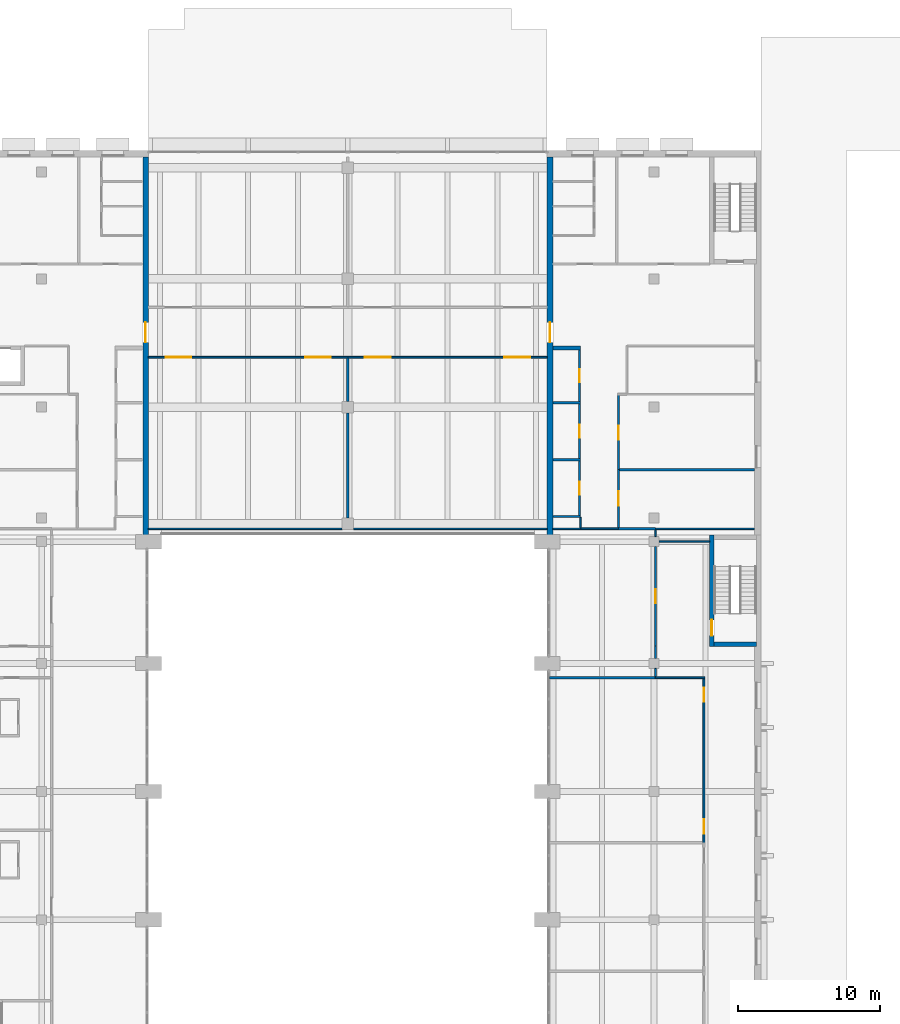
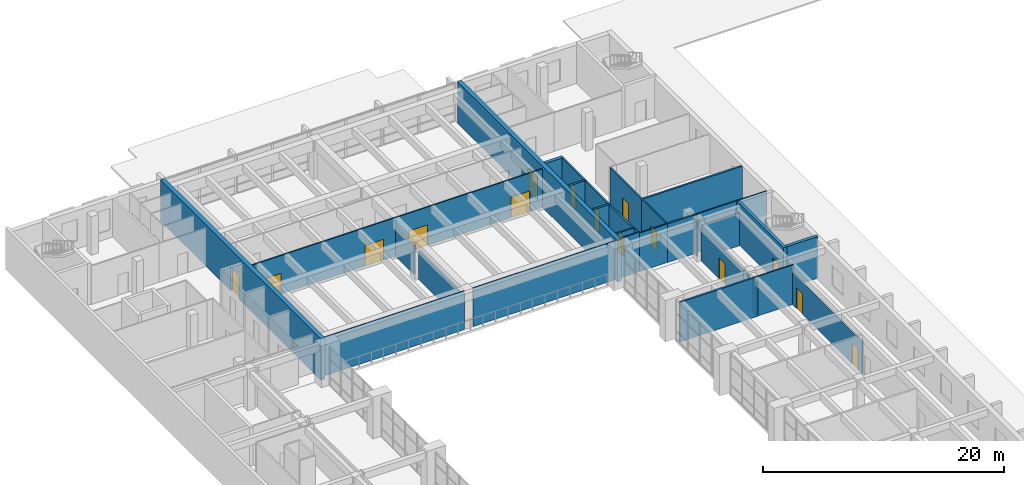
# One storey, part 32 of 45: 33 walls, 15 doors, 15 openings.
"""IFC4 building model written with IfcOpenShell, lengths in metres."""

from ifc_helpers import new_model, si_unit, direction, frame, frame_2d, origin, place, context, subcontext, project, spatial, rectangle, extrude, material, layer, layer_set, type_object, element, fill, save


model = new_model("IFC4")

# Units and contexts
model_context = context("Model", 3, precision=1e-05, world=origin(), true_north=direction((0.0, 1.0)))
body_context = subcontext(model_context, "Body", "Model", "MODEL_VIEW")
ifc_project = project(units=[si_unit("LENGTHUNIT", "METRE"), si_unit("AREAUNIT", "SQUARE_METRE"), si_unit("VOLUMEUNIT", "CUBIC_METRE"), si_unit("PLANEANGLEUNIT", "RADIAN"), si_unit("MASSUNIT", "GRAM", prefix="KILO")], contexts=[model_context])

# Site, building, storey
site_placement = place(None, origin())
site = spatial("IfcSite", under=ifc_project, at=site_placement, CompositionType="ELEMENT")
building_placement = place(site_placement, origin())
building = spatial("IfcBuilding", under=site, at=building_placement, Name="Elmora Arch Market Hall", CompositionType="ELEMENT")
storey_placement = place(building_placement, frame((0.0, 0.0, 6.0)))
storey = spatial("IfcBuildingStorey", under=building, at=storey_placement, Name="L01", CompositionType="ELEMENT", Elevation=6.0)

# Wall
ifc_material_1 = material(Name="Blockwork", Category="masonry")
ifc_layer_1 = layer(ifc_material_1, 0.14990234375)
ifc_layer_set_1 = layer_set([ifc_layer_1], Name="Blockwork")
wall_type_1 = type_object("IfcWallType", Name="Blockwork partition 150 EI 120", PredefinedType="PARTITIONING", material=ifc_layer_set_1)
wall_1_placement = place(storey_placement, frame((43.39990234375, 100.324951171875, 0.0), z_axis=(0.0, 0.0, 1.0), x_axis=(1.0, 0.0, 0.0)))
element("IfcWall", 1, at=wall_1_placement, inside=storey, type_object=wall_type_1, Name="Riser wall L01 22", PredefinedType="PARTITIONING", context=body_context, shape_type="SweptSolid", body=[
    extrude(rectangle(XDim=1.9501953125, YDim=0.14990234375, at=frame_2d((0.97509765625, 0.0))), origin(), (0.0, 0.0, 1.0), 3.89990234375),
])

# Wall, opening, door
wall_2_placement = place(storey_placement, frame((45.27490234375, 100.39990234375, 0.0), z_axis=(0.0, 0.0, 1.0), x_axis=(0.0, 1.0, 0.0)))
wall_2 = element("IfcWall", 2, at=wall_2_placement, inside=storey, type_object=wall_type_1, Name="Riser wall L01 26", PredefinedType="PARTITIONING", context=body_context, shape_type="SweptSolid", body=[
    extrude(rectangle(XDim=3.800048828125, YDim=0.14990234375, at=frame_2d((1.89990234375, 0.0))), origin(), (0.0, 0.0, 1.0), 3.89990234375),
])
opening_1_placement = place(wall_2_placement, frame((1.449951171875, 0.0, 0.0)))
opening_1 = element("IfcOpeningElement", 3, at=opening_1_placement, cuts=wall_2, Name="Opening D-L01-043", PredefinedType="OPENING", context=body_context, shape_type="SweptSolid", body=[
    extrude(rectangle(XDim=0.89990234375, YDim=2.10009765625, at=frame_2d((0.449951171875, 1.050048828125))), frame((0.0, 0.0849609375, 0.0), z_axis=(0.0, -1.0, 0.0), x_axis=(1.0, 0.0, 0.0)), (0.0, 0.0, 1.0), 0.169921875),
])
ifc_material_2 = material(Name="Steel ASTM A653 galvanised", Category="steel")
door_type_1 = type_object("IfcDoorType", Name="Door 900 x 2100 FD90", OperationType="SINGLE_SWING_LEFT", PredefinedType="DOOR", material=ifc_material_2)
door_1_placement = place(opening_1_placement, origin())
door_1 = element("IfcDoor", 4, at=door_1_placement, inside=storey, type_object=door_type_1, Name="Riser access door D-L01-043", OperationType="SINGLE_SWING_LEFT", OverallHeight=2.10009765625, OverallWidth=0.89990234375, PredefinedType="DOOR", context=body_context, shape_type="SweptSolid", body=[
    extrude(rectangle(XDim=0.89990234375, YDim=2.10009765625, at=frame_2d((0.449951171875, 1.050048828125))), frame((0.0, 0.02490234375, 0.0), z_axis=(0.0, -1.0, 0.0), x_axis=(1.0, 0.0, 0.0)), (0.0, 0.0, 1.0), 0.050048828125),
])
fill(opening_1, door_1)

wall_3_placement = place(storey_placement, frame((45.27490234375, 104.39990234375, 0.0), z_axis=(0.0, 0.0, 1.0), x_axis=(0.0, 1.0, 0.0)))
wall_3 = element("IfcWall", 5, at=wall_3_placement, inside=storey, type_object=wall_type_1, Name="Riser wall L01 27", PredefinedType="PARTITIONING", context=body_context, shape_type="SweptSolid", body=[
    extrude(rectangle(XDim=3.800048828125, YDim=0.14990234375, at=frame_2d((1.89990234375, 0.0))), origin(), (0.0, 0.0, 1.0), 3.89990234375),
])
opening_2_placement = place(wall_3_placement, frame((1.449951171875, 0.0, 0.0)))
opening_2 = element("IfcOpeningElement", 6, at=opening_2_placement, cuts=wall_3, Name="Opening D-L01-047", PredefinedType="OPENING", context=body_context, shape_type="SweptSolid", body=[
    extrude(rectangle(XDim=0.89990234375, YDim=2.10009765625, at=frame_2d((0.449951171875, 1.050048828125))), frame((0.0, 0.0849609375, 0.0), z_axis=(0.0, -1.0, 0.0), x_axis=(1.0, 0.0, 0.0)), (0.0, 0.0, 1.0), 0.169921875),
])
door_2_placement = place(opening_2_placement, origin())
door_2 = element("IfcDoor", 7, at=door_2_placement, inside=storey, type_object=door_type_1, Name="Riser access door D-L01-047", OperationType="SINGLE_SWING_LEFT", OverallHeight=2.10009765625, OverallWidth=0.89990234375, PredefinedType="DOOR", context=body_context, shape_type="SweptSolid", body=[
    extrude(rectangle(XDim=0.89990234375, YDim=2.10009765625, at=frame_2d((0.449951171875, 1.050048828125))), frame((0.0, 0.02490234375, 0.0), z_axis=(0.0, -1.0, 0.0), x_axis=(1.0, 0.0, 0.0)), (0.0, 0.0, 1.0), 0.050048828125),
])
fill(opening_2, door_2)

wall_4_placement = place(storey_placement, frame((45.27490234375, 108.39990234375, 0.0), z_axis=(0.0, 0.0, 1.0), x_axis=(0.0, 1.0, 0.0)))
wall_4 = element("IfcWall", 8, at=wall_4_placement, inside=storey, type_object=wall_type_1, Name="Riser wall L01 28", PredefinedType="PARTITIONING", context=body_context, shape_type="SweptSolid", body=[
    extrude(rectangle(XDim=3.60009765625, YDim=0.14990234375, at=frame_2d((1.800048828125, 0.0))), origin(), (0.0, 0.0, 1.0), 3.89990234375),
])
opening_3_placement = place(wall_4_placement, frame((1.35009765625, 0.0, 0.0)))
opening_3 = element("IfcOpeningElement", 9, at=opening_3_placement, cuts=wall_4, Name="Opening D-L01-049", PredefinedType="OPENING", context=body_context, shape_type="SweptSolid", body=[
    extrude(rectangle(XDim=0.89990234375, YDim=2.10009765625, at=frame_2d((0.449951171875, 1.050048828125))), frame((0.0, 0.0849609375, 0.0), z_axis=(0.0, -1.0, 0.0), x_axis=(1.0, 0.0, 0.0)), (0.0, 0.0, 1.0), 0.169921875),
])
door_3_placement = place(opening_3_placement, origin())
door_3 = element("IfcDoor", 10, at=door_3_placement, inside=storey, type_object=door_type_1, Name="Riser access door D-L01-049", OperationType="SINGLE_SWING_LEFT", OverallHeight=2.10009765625, OverallWidth=0.89990234375, PredefinedType="DOOR", context=body_context, shape_type="SweptSolid", body=[
    extrude(rectangle(XDim=0.89990234375, YDim=2.10009765625, at=frame_2d((0.449951171875, 1.050048828125))), frame((0.0, 0.02490234375, 0.0), z_axis=(0.0, -1.0, 0.0), x_axis=(1.0, 0.0, 0.0)), (0.0, 0.0, 1.0), 0.050048828125),
])
fill(opening_3, door_3)

# Walls
ifc_material_3 = material(Name="Blockwork", Category="masonry")
ifc_layer_2 = layer(ifc_material_3, 0.199951171875)
ifc_layer_set_2 = layer_set([ifc_layer_2], Name="Blockwork")
wall_type_2 = type_object("IfcWallType", Name="Blockwork partition 200 EI 120", PredefinedType="PARTITIONING", material=ifc_layer_set_2)
for number, where, z_axis, x_axis, name in (
    (11, (43.39990234375, 104.300048828125, 0.0), (0.0, 0.0, 1.0), (1.0, 0.0, 0.0), "Riser wall L01 23"),
    (12, (43.39990234375, 108.300048828125, 0.0), (0.0, 0.0, 1.0), (1.0, 0.0, 0.0), "Riser wall L01 24"),
):
    element("IfcWall", number, at=place(storey_placement, frame(where, z_axis=z_axis, x_axis=x_axis)), inside=storey, type_object=wall_type_2, Name=name, PredefinedType="PARTITIONING", context=body_context, shape_type="SweptSolid", body=[
        extrude(rectangle(XDim=1.9501953125, YDim=0.199951171875, at=frame_2d((0.97509765625, 0.0))), origin(), (0.0, 0.0, 1.0), 3.89990234375),
    ])
ifc_material_4 = material(Name="Blockwork", Category="masonry")
ifc_layer_3 = layer(ifc_material_4, 0.300048828125)
ifc_layer_set_3 = layer_set([ifc_layer_3], Name="Blockwork")
wall_type_3 = type_object("IfcWallType", Name="Blockwork partition 300 EI 120", PredefinedType="PARTITIONING", material=ifc_layer_set_3)
wall_5_placement = place(storey_placement, frame((43.39990234375, 112.14990234375, 0.0), z_axis=(0.0, 0.0, 1.0), x_axis=(1.0, 0.0, 0.0)))
element("IfcWall", 13, at=wall_5_placement, inside=storey, type_object=wall_type_3, Name="Riser wall L01 25", PredefinedType="PARTITIONING", context=body_context, shape_type="SweptSolid", body=[
    extrude(rectangle(XDim=1.9501953125, YDim=0.300048828125, at=frame_2d((0.97509765625, 0.0))), origin(), (0.0, 0.0, 1.0), 3.89990234375),
])
ifc_material_5 = material(Name="Gypsum board on metal studs")
ifc_layer_4 = layer(ifc_material_5, 0.10009765625)
ifc_layer_set_4 = layer_set([ifc_layer_4], Name="Gypsum board on metal studs")
wall_type_4 = type_object("IfcWallType", Name="Partition 100", PredefinedType="PARTITIONING", material=ifc_layer_set_4)
wall_6_placement = place(storey_placement, frame((50.85009765625, 98.550048828125, 0.0), z_axis=(0.0, 0.0, 1.0), x_axis=(1.0, 0.0, 0.0)))
element("IfcWall", 14, at=wall_6_placement, inside=storey, type_object=wall_type_4, Name="Partition PT-L01-030", PredefinedType="PARTITIONING", context=body_context, shape_type="SweptSolid", body=[
    extrude(rectangle(XDim=3.5498046875, YDim=0.10009765625, at=frame_2d((1.77490234375, 0.0))), origin(), (0.0, 0.0, 1.0), 3.300048828125),
])
for number, where, z_axis, x_axis, name in (
    (15, (15.0, 99.449951171875, 0.0), (0.0, 0.0, 1.0), (1.0, 0.0, 0.0), "Partition PT-L01-036"),
    (16, (29.39990234375, 99.449951171875, 0.0), (0.0, 0.0, 1.0), (1.0, 0.0, 0.0), "Partition PT-L01-037"),
):
    element("IfcWall", number, at=place(storey_placement, frame(where, z_axis=z_axis, x_axis=x_axis)), inside=storey, type_object=wall_type_4, Name=name, PredefinedType="PARTITIONING", context=body_context, shape_type="SweptSolid", body=[
        extrude(rectangle(XDim=13.60009765625, YDim=0.10009765625, at=frame_2d((6.800048828125, 0.0))), origin(), (0.0, 0.0, 1.0), 3.89990234375),
    ])
wall_7_placement = place(storey_placement, frame((43.39990234375, 99.449951171875, 0.0), z_axis=(0.0, 0.0, 1.0), x_axis=(1.0, 0.0, 0.0)))
element("IfcWall", 17, at=wall_7_placement, inside=storey, type_object=wall_type_4, Name="Partition PT-L01-038", PredefinedType="PARTITIONING", context=body_context, shape_type="SweptSolid", body=[
    extrude(rectangle(XDim=1.9501953125, YDim=0.10009765625, at=frame_2d((0.97509765625, 0.0))), origin(), (0.0, 0.0, 1.0), 4.0),
])
wall_8_placement = place(storey_placement, frame((50.60009765625, 99.449951171875, 0.0), z_axis=(0.0, 0.0, 1.0), x_axis=(1.0, 0.0, 0.0)))
element("IfcWall", 18, at=wall_8_placement, inside=storey, type_object=wall_type_4, Name="Partition PT-L01-041", PredefinedType="PARTITIONING", context=body_context, shape_type="SweptSolid", body=[
    extrude(rectangle(XDim=6.949951171875, YDim=0.10009765625, at=frame_2d((3.47509765625, 0.0))), origin(), (0.0, 0.0, 1.0), 3.89990234375),
])
wall_9_placement = place(storey_placement, frame((45.35009765625, 99.512451171875, 0.0), z_axis=(0.0, 0.0, 1.0), x_axis=(0.0, 1.0, 0.0)))
element("IfcWall", 19, at=wall_9_placement, inside=storey, type_object=wall_type_4, Name="Partition PT-L01-117", PredefinedType="PARTITIONING", context=body_context, shape_type="SweptSolid", body=[
    extrude(rectangle(XDim=0.737548828125, YDim=0.10009765625, at=frame_2d((0.36865234375, 0.0))), origin(), (0.0, 0.0, 1.0), 3.89990234375),
])
wall_10_placement = place(storey_placement, frame((50.60009765625, 98.89990234375, 0.0), z_axis=(0.0, 0.0, 1.0), x_axis=(0.0, 1.0, 0.0)))
element("IfcWall", 20, at=wall_10_placement, inside=storey, type_object=wall_type_4, Name="Partition PT-L01-127", PredefinedType="PARTITIONING", context=body_context, shape_type="SweptSolid", body=[
    extrude(rectangle(XDim=0.462646484375, YDim=0.10009765625, at=frame_2d((0.2314453125, 0.0))), origin(), (0.0, 0.0, 1.0), 4.0),
])
ifc_material_6 = material(Name="Gypsum board on metal studs")
ifc_layer_5 = layer(ifc_material_6, 0.125)
ifc_layer_set_5 = layer_set([ifc_layer_5], Name="Gypsum board on metal studs")
wall_type_5 = type_object("IfcWallType", Name="Partition 125 EI 60", PredefinedType="PARTITIONING", material=ifc_layer_set_5)
wall_11_placement = place(storey_placement, frame((50.60009765625, 89.0, 0.0), z_axis=(0.0, 0.0, 1.0), x_axis=(1.0, 0.0, 0.0)))
element("IfcWall", 21, at=wall_11_placement, inside=storey, type_object=wall_type_5, Name="Partition PT-L01-028", PredefinedType="PARTITIONING", context=body_context, shape_type="SweptSolid", body=[
    extrude(rectangle(XDim=3.46240234375, YDim=0.125, at=frame_2d((1.731201171875, 0.0))), origin(), (0.0, 0.0, 1.0), 4.0),
])
wall_12_placement = place(storey_placement, frame((45.35009765625, 99.449951171875, 0.0), z_axis=(0.0, 0.0, 1.0), x_axis=(1.0, 0.0, 0.0)))
element("IfcWall", 22, at=wall_12_placement, inside=storey, type_object=wall_type_5, Name="Partition PT-L01-039", PredefinedType="PARTITIONING", context=body_context, shape_type="SweptSolid", body=[
    extrude(rectangle(XDim=2.64990234375, YDim=0.125, at=frame_2d((1.324951171875, 0.0))), origin(), (0.0, 0.0, 1.0), 3.89990234375),
])

# Wall, openings, doors
wall_13_placement = place(storey_placement, frame((15.0, 111.5, 0.0), z_axis=(0.0, 0.0, 1.0), x_axis=(1.0, 0.0, 0.0)))
wall_13 = element("IfcWall", 23, at=wall_13_placement, inside=storey, type_object=wall_type_5, Name="Partition PT-L01-048", PredefinedType="PARTITIONING", context=body_context, shape_type="SweptSolid", body=[
    extrude(rectangle(XDim=14.0, YDim=0.125, at=frame_2d((7.0, 0.0))), origin(), (0.0, 0.0, 1.0), 3.89990234375),
])
opening_4_placement = place(wall_13_placement, frame((1.199951171875, 0.0, 0.0)))
opening_4 = element("IfcOpeningElement", 24, at=opening_4_placement, cuts=wall_13, Name="Opening D-L01-050", PredefinedType="OPENING", context=body_context, shape_type="SweptSolid", body=[
    extrude(rectangle(XDim=1.800048828125, YDim=2.10009765625, at=frame_2d((0.89990234375, 1.050048828125))), frame((0.0, 0.072509765625, 0.0), z_axis=(0.0, -1.0, 0.0), x_axis=(1.0, 0.0, 0.0)), (0.0, 0.0, 1.0), 0.14501953125),
])
opening_5_placement = place(wall_13_placement, frame((11.0, 0.0, 0.0)))
opening_5 = element("IfcOpeningElement", 25, at=opening_5_placement, cuts=wall_13, Name="Opening D-L01-051", PredefinedType="OPENING", context=body_context, shape_type="SweptSolid", body=[
    extrude(rectangle(XDim=1.800048828125, YDim=2.10009765625, at=frame_2d((0.89990234375, 1.050048828125))), frame((0.0, 0.072509765625, 0.0), z_axis=(0.0, -1.0, 0.0), x_axis=(1.0, 0.0, 0.0)), (0.0, 0.0, 1.0), 0.14501953125),
])
ifc_material_7 = material(Name="Steel ASTM A653 galvanised", Category="steel")
door_type_2 = type_object("IfcDoorType", Name="Double door 1800 x 2100 FD20", OperationType="DOUBLE_DOOR_SINGLE_SWING", PredefinedType="DOOR", material=ifc_material_7)
door_4_placement = place(opening_4_placement, frame((1.800048828125, 0.0, 0.0), z_axis=(0.0, 0.0, 1.0), x_axis=(-1.0, 0.0, 0.0)))
door_4 = element("IfcDoor", 26, at=door_4_placement, inside=storey, type_object=door_type_2, Name="D-L01-050", OperationType="DOUBLE_DOOR_SINGLE_SWING", OverallHeight=2.10009765625, OverallWidth=1.800048828125, PredefinedType="DOOR", context=body_context, shape_type="SweptSolid", body=[
    extrude(rectangle(XDim=1.800048828125, YDim=2.10009765625, at=frame_2d((0.89990234375, 1.050048828125))), frame((0.0, 0.02490234375, 0.0), z_axis=(0.0, -1.0, 0.0), x_axis=(1.0, 0.0, 0.0)), (0.0, 0.0, 1.0), 0.050048828125),
])
fill(opening_4, door_4)
door_5_placement = place(opening_5_placement, frame((1.800048828125, 0.0, 0.0), z_axis=(0.0, 0.0, 1.0), x_axis=(-1.0, 0.0, 0.0)))
door_5 = element("IfcDoor", 27, at=door_5_placement, inside=storey, type_object=door_type_2, Name="D-L01-051", OperationType="DOUBLE_DOOR_SINGLE_SWING", OverallHeight=2.10009765625, OverallWidth=1.800048828125, PredefinedType="DOOR", context=body_context, shape_type="SweptSolid", body=[
    extrude(rectangle(XDim=1.800048828125, YDim=2.10009765625, at=frame_2d((0.89990234375, 1.050048828125))), frame((0.0, 0.02490234375, 0.0), z_axis=(0.0, -1.0, 0.0), x_axis=(1.0, 0.0, 0.0)), (0.0, 0.0, 1.0), 0.050048828125),
])
fill(opening_5, door_5)

wall_14_placement = place(storey_placement, frame((29.0, 111.5, 0.0), z_axis=(0.0, 0.0, 1.0), x_axis=(1.0, 0.0, 0.0)))
wall_14 = element("IfcWall", 28, at=wall_14_placement, inside=storey, type_object=wall_type_5, Name="Partition PT-L01-049", PredefinedType="PARTITIONING", context=body_context, shape_type="SweptSolid", body=[
    extrude(rectangle(XDim=14.0, YDim=0.125, at=frame_2d((7.0, 0.0))), origin(), (0.0, 0.0, 1.0), 3.89990234375),
])
opening_6_placement = place(wall_14_placement, frame((1.199951171875, 0.0, 0.0)))
opening_6 = element("IfcOpeningElement", 29, at=opening_6_placement, cuts=wall_14, Name="Opening D-L01-052", PredefinedType="OPENING", context=body_context, shape_type="SweptSolid", body=[
    extrude(rectangle(XDim=1.800048828125, YDim=2.10009765625, at=frame_2d((0.89990234375, 1.050048828125))), frame((0.0, 0.072509765625, 0.0), z_axis=(0.0, -1.0, 0.0), x_axis=(1.0, 0.0, 0.0)), (0.0, 0.0, 1.0), 0.14501953125),
])
opening_7_placement = place(wall_14_placement, frame((11.0, 0.0, 0.0)))
opening_7 = element("IfcOpeningElement", 30, at=opening_7_placement, cuts=wall_14, Name="Opening D-L01-053", PredefinedType="OPENING", context=body_context, shape_type="SweptSolid", body=[
    extrude(rectangle(XDim=1.800048828125, YDim=2.10009765625, at=frame_2d((0.89990234375, 1.050048828125))), frame((0.0, 0.072509765625, 0.0), z_axis=(0.0, -1.0, 0.0), x_axis=(1.0, 0.0, 0.0)), (0.0, 0.0, 1.0), 0.14501953125),
])
door_6_placement = place(opening_6_placement, frame((1.800048828125, 0.0, 0.0), z_axis=(0.0, 0.0, 1.0), x_axis=(-1.0, 0.0, 0.0)))
door_6 = element("IfcDoor", 31, at=door_6_placement, inside=storey, type_object=door_type_2, Name="D-L01-052", OperationType="DOUBLE_DOOR_SINGLE_SWING", OverallHeight=2.10009765625, OverallWidth=1.800048828125, PredefinedType="DOOR", context=body_context, shape_type="SweptSolid", body=[
    extrude(rectangle(XDim=1.800048828125, YDim=2.10009765625, at=frame_2d((0.89990234375, 1.050048828125))), frame((0.0, 0.02490234375, 0.0), z_axis=(0.0, -1.0, 0.0), x_axis=(1.0, 0.0, 0.0)), (0.0, 0.0, 1.0), 0.050048828125),
])
fill(opening_6, door_6)
door_7_placement = place(opening_7_placement, frame((1.800048828125, 0.0, 0.0), z_axis=(0.0, 0.0, 1.0), x_axis=(-1.0, 0.0, 0.0)))
door_7 = element("IfcDoor", 32, at=door_7_placement, inside=storey, type_object=door_type_2, Name="D-L01-053", OperationType="DOUBLE_DOOR_SINGLE_SWING", OverallHeight=2.10009765625, OverallWidth=1.800048828125, PredefinedType="DOOR", context=body_context, shape_type="SweptSolid", body=[
    extrude(rectangle(XDim=1.800048828125, YDim=2.10009765625, at=frame_2d((0.89990234375, 1.050048828125))), frame((0.0, 0.02490234375, 0.0), z_axis=(0.0, -1.0, 0.0), x_axis=(1.0, 0.0, 0.0)), (0.0, 0.0, 1.0), 0.050048828125),
])
fill(opening_7, door_7)

# Wall, opening, door
wall_15_placement = place(storey_placement, frame((48.0, 99.53759765625, 0.0), z_axis=(0.0, 0.0, 1.0), x_axis=(0.0, 1.0, 0.0)))
wall_15 = element("IfcWall", 33, at=wall_15_placement, inside=storey, type_object=wall_type_5, Name="Partition PT-L01-122", PredefinedType="PARTITIONING", context=body_context, shape_type="SweptSolid", body=[
    extrude(rectangle(XDim=4.0625, YDim=0.125, at=frame_2d((2.03125, 0.0))), origin(), (0.0, 0.0, 1.0), 3.89990234375),
])
opening_8_placement = place(wall_15_placement, frame((1.550048828125, 0.0, 0.0)))
opening_8 = element("IfcOpeningElement", 34, at=opening_8_placement, cuts=wall_15, Name="Opening D-L01-041", PredefinedType="OPENING", context=body_context, shape_type="SweptSolid", body=[
    extrude(rectangle(XDim=1.0, YDim=2.10009765625, at=frame_2d((0.5, 1.050048828125))), frame((0.0, 0.072509765625, 0.0), z_axis=(0.0, -1.0, 0.0), x_axis=(1.0, 0.0, 0.0)), (0.0, 0.0, 1.0), 0.14501953125),
])
ifc_material_8 = material(Name="Steel ASTM A653 galvanised", Category="steel")
door_type_3 = type_object("IfcDoorType", Name="Door 1000 x 2100 FD45", OperationType="SINGLE_SWING_LEFT", PredefinedType="DOOR", material=ifc_material_8)
door_8_placement = place(opening_8_placement, frame((1.0, 0.0, 0.0), z_axis=(0.0, 0.0, 1.0), x_axis=(-1.0, 0.0, 0.0)))
door_8 = element("IfcDoor", 35, at=door_8_placement, inside=storey, type_object=door_type_3, Name="D-L01-041", OperationType="SINGLE_SWING_LEFT", OverallHeight=2.10009765625, OverallWidth=1.0, PredefinedType="DOOR", context=body_context, shape_type="SweptSolid", body=[
    extrude(rectangle(XDim=1.0, YDim=2.10009765625, at=frame_2d((0.5, 1.050048828125))), frame((0.0, 0.02490234375, 0.0), z_axis=(0.0, -1.0, 0.0), x_axis=(1.0, 0.0, 0.0)), (0.0, 0.0, 1.0), 0.050048828125),
])
fill(opening_8, door_8)

wall_16_placement = place(storey_placement, frame((48.0, 103.60009765625, 0.0), z_axis=(0.0, 0.0, 1.0), x_axis=(0.0, 1.0, 0.0)))
wall_16 = element("IfcWall", 36, at=wall_16_placement, inside=storey, type_object=wall_type_5, Name="Partition PT-L01-123", PredefinedType="PARTITIONING", context=body_context, shape_type="SweptSolid", body=[
    extrude(rectangle(XDim=5.2373046875, YDim=0.125, at=frame_2d((2.61865234375, 0.0))), origin(), (0.0, 0.0, 1.0), 3.89990234375),
])
opening_9_placement = place(wall_16_placement, frame((2.10009765625, 0.0, 0.0)))
opening_9 = element("IfcOpeningElement", 37, at=opening_9_placement, cuts=wall_16, Name="Opening D-L01-045", PredefinedType="OPENING", context=body_context, shape_type="SweptSolid", body=[
    extrude(rectangle(XDim=1.0, YDim=2.10009765625, at=frame_2d((0.5, 1.050048828125))), frame((0.0, 0.072509765625, 0.0), z_axis=(0.0, -1.0, 0.0), x_axis=(1.0, 0.0, 0.0)), (0.0, 0.0, 1.0), 0.14501953125),
])
door_9_placement = place(opening_9_placement, frame((1.0, 0.0, 0.0), z_axis=(0.0, 0.0, 1.0), x_axis=(-1.0, 0.0, 0.0)))
door_9 = element("IfcDoor", 38, at=door_9_placement, inside=storey, type_object=door_type_3, Name="D-L01-045", OperationType="SINGLE_SWING_RIGHT", OverallHeight=2.10009765625, OverallWidth=1.0, PredefinedType="DOOR", context=body_context, shape_type="SweptSolid", body=[
    extrude(rectangle(XDim=1.0, YDim=2.10009765625, at=frame_2d((0.5, 1.050048828125))), frame((0.0, 0.02490234375, 0.0), z_axis=(0.0, -1.0, 0.0), x_axis=(1.0, 0.0, 0.0)), (0.0, 0.0, 1.0), 0.050048828125),
])
fill(opening_9, door_9)

# Walls
wall_17_placement = place(storey_placement, frame((50.60009765625, 89.08740234375, 0.0), z_axis=(0.0, 0.0, 1.0), x_axis=(0.0, 1.0, 0.0)))
element("IfcWall", 39, at=wall_17_placement, inside=storey, type_object=wall_type_5, Name="Partition PT-L01-125-127", PredefinedType="PARTITIONING", context=body_context, shape_type="SweptSolid", body=[
    extrude(rectangle(XDim=0.5625, YDim=0.125, at=frame_2d((0.28125, 0.0))), origin(), (0.0, 0.0, 1.0), 3.300048828125),
])
wall_18_placement = place(storey_placement, frame((50.60009765625, 90.35009765625, 0.0), z_axis=(0.0, 0.0, 1.0), x_axis=(0.0, 1.0, 0.0)))
element("IfcWall", 40, at=wall_18_placement, inside=storey, type_object=wall_type_5, Name="Partition PT-L01-125-128", PredefinedType="PARTITIONING", context=body_context, shape_type="SweptSolid", body=[
    extrude(rectangle(XDim=0.85986328125, YDim=0.125, at=frame_2d((0.429931640625, 0.0))), origin(), (0.0, 0.0, 1.0), 3.300048828125),
])

# Wall, opening, door
wall_19_placement = place(storey_placement, frame((50.60009765625, 91.2099609375, 0.0), z_axis=(0.0, 0.0, 1.0), x_axis=(0.0, 1.0, 0.0)))
wall_19 = element("IfcWall", 41, at=wall_19_placement, inside=storey, type_object=wall_type_5, Name="Partition PT-L01-126", PredefinedType="PARTITIONING", context=body_context, shape_type="SweptSolid", body=[
    extrude(rectangle(XDim=6.989990234375, YDim=0.125, at=frame_2d((3.4951171875, 0.0))), origin(), (0.0, 0.0, 1.0), 3.300048828125),
])
opening_10_placement = place(wall_19_placement, frame((3.0, 0.0, 0.0)))
opening_10 = element("IfcOpeningElement", 42, at=opening_10_placement, cuts=wall_19, Name="Opening D-L01-039", PredefinedType="OPENING", context=body_context, shape_type="SweptSolid", body=[
    extrude(rectangle(XDim=1.0, YDim=2.10009765625, at=frame_2d((0.5, 1.050048828125))), frame((0.0, 0.072509765625, 0.0), z_axis=(0.0, -1.0, 0.0), x_axis=(1.0, 0.0, 0.0)), (0.0, 0.0, 1.0), 0.14501953125),
])
door_10_placement = place(opening_10_placement, origin())
door_10 = element("IfcDoor", 43, at=door_10_placement, inside=storey, type_object=door_type_3, Name="D-L01-039", OperationType="SINGLE_SWING_RIGHT", OverallHeight=2.10009765625, OverallWidth=1.0, PredefinedType="DOOR", context=body_context, shape_type="SweptSolid", body=[
    extrude(rectangle(XDim=1.0, YDim=2.10009765625, at=frame_2d((0.5, 1.050048828125))), frame((0.0, 0.02490234375, 0.0), z_axis=(0.0, -1.0, 0.0), x_axis=(1.0, 0.0, 0.0)), (0.0, 0.0, 1.0), 0.050048828125),
])
fill(opening_10, door_10)

# Wall, openings, doors
wall_20_placement = place(storey_placement, frame((54.0, 77.39990234375, 0.0), z_axis=(0.0, 0.0, 1.0), x_axis=(0.0, 1.0, 0.0)))
wall_20 = element("IfcWall", 44, at=wall_20_placement, inside=storey, type_object=wall_type_5, Name="Partition PT-L01-135", PredefinedType="PARTITIONING", context=body_context, shape_type="SweptSolid", body=[
    extrude(rectangle(XDim=11.53759765625, YDim=0.125, at=frame_2d((5.768798828125, 0.0))), origin(), (0.0, 0.0, 1.0), 3.25),
])
opening_11_placement = place(wall_20_placement, frame((0.64990234375, 0.0, 0.0)))
opening_11 = element("IfcOpeningElement", 45, at=opening_11_placement, cuts=wall_20, Name="Opening D-L01-033", PredefinedType="OPENING", context=body_context, shape_type="SweptSolid", body=[
    extrude(rectangle(XDim=1.0, YDim=2.10009765625, at=frame_2d((0.5, 1.050048828125))), frame((0.0, 0.072509765625, 0.0), z_axis=(0.0, -1.0, 0.0), x_axis=(1.0, 0.0, 0.0)), (0.0, 0.0, 1.0), 0.14501953125),
])
opening_12_placement = place(wall_20_placement, frame((9.89990234375, 0.0, 0.0)))
opening_12 = element("IfcOpeningElement", 46, at=opening_12_placement, cuts=wall_20, Name="Opening D-L01-035", PredefinedType="OPENING", context=body_context, shape_type="SweptSolid", body=[
    extrude(rectangle(XDim=1.0, YDim=2.10009765625, at=frame_2d((0.5, 1.050048828125))), frame((0.0, 0.072509765625, 0.0), z_axis=(0.0, -1.0, 0.0), x_axis=(1.0, 0.0, 0.0)), (0.0, 0.0, 1.0), 0.14501953125),
])
door_11_placement = place(opening_11_placement, origin())
door_11 = element("IfcDoor", 47, at=door_11_placement, inside=storey, type_object=door_type_3, Name="D-L01-033", OperationType="SINGLE_SWING_LEFT", OverallHeight=2.10009765625, OverallWidth=1.0, PredefinedType="DOOR", context=body_context, shape_type="SweptSolid", body=[
    extrude(rectangle(XDim=1.0, YDim=2.10009765625, at=frame_2d((0.5, 1.050048828125))), frame((0.0, 0.02490234375, 0.0), z_axis=(0.0, -1.0, 0.0), x_axis=(1.0, 0.0, 0.0)), (0.0, 0.0, 1.0), 0.050048828125),
])
fill(opening_11, door_11)
door_12_placement = place(opening_12_placement, origin())
door_12 = element("IfcDoor", 48, at=door_12_placement, inside=storey, type_object=door_type_3, Name="D-L01-035", OperationType="SINGLE_SWING_RIGHT", OverallHeight=2.10009765625, OverallWidth=1.0, PredefinedType="DOOR", context=body_context, shape_type="SweptSolid", body=[
    extrude(rectangle(XDim=1.0, YDim=2.10009765625, at=frame_2d((0.5, 1.050048828125))), frame((0.0, 0.02490234375, 0.0), z_axis=(0.0, -1.0, 0.0), x_axis=(1.0, 0.0, 0.0)), (0.0, 0.0, 1.0), 0.050048828125),
])
fill(opening_12, door_12)

# Walls
ifc_material_9 = material(Name="Gypsum board on metal studs")
ifc_layer_6 = layer(ifc_material_9, 0.175048828125)
ifc_layer_set_6 = layer_set([ifc_layer_6], Name="Gypsum board on metal studs")
wall_type_6 = type_object("IfcWallType", Name="Partition 175 EI 60", PredefinedType="PARTITIONING", material=ifc_layer_set_6)
wall_21_placement = place(storey_placement, frame((43.14990234375, 89.0, 0.0), z_axis=(0.0, 0.0, 1.0), x_axis=(1.0, 0.0, 0.0)))
element("IfcWall", 49, at=wall_21_placement, inside=storey, type_object=wall_type_6, Name="Partition PT-L01-027", PredefinedType="PARTITIONING", context=body_context, shape_type="SweptSolid", body=[
    extrude(rectangle(XDim=7.4501953125, YDim=0.175048828125, at=frame_2d((3.72509765625, 0.0))), origin(), (0.0, 0.0, 1.0), 4.0),
])
wall_22_placement = place(storey_placement, frame((48.0, 99.449951171875, 0.0), z_axis=(0.0, 0.0, 1.0), x_axis=(1.0, 0.0, 0.0)))
element("IfcWall", 50, at=wall_22_placement, inside=storey, type_object=wall_type_6, Name="Partition PT-L01-040", PredefinedType="PARTITIONING", context=body_context, shape_type="SweptSolid", body=[
    extrude(rectangle(XDim=2.60009765625, YDim=0.175048828125, at=frame_2d((1.300048828125, 0.0))), origin(), (0.0, 0.0, 1.0), 3.89990234375),
])
wall_23_placement = place(storey_placement, frame((48.0625, 103.60009765625, 0.0), z_axis=(0.0, 0.0, 1.0), x_axis=(1.0, 0.0, 0.0)))
element("IfcWall", 51, at=wall_23_placement, inside=storey, type_object=wall_type_6, Name="Partition PT-L01-043", PredefinedType="PARTITIONING", context=body_context, shape_type="SweptSolid", body=[
    extrude(rectangle(XDim=9.487548828125, YDim=0.175048828125, at=frame_2d((4.74365234375, 0.0))), origin(), (0.0, 0.0, 1.0), 3.89990234375),
])
wall_24_placement = place(storey_placement, frame((29.0, 100.199951171875, 0.0), z_axis=(0.0, 0.0, 1.0), x_axis=(0.0, 1.0, 0.0)))
element("IfcWall", 52, at=wall_24_placement, inside=storey, type_object=wall_type_6, Name="Partition PT-L01-115-114", PredefinedType="PARTITIONING", context=body_context, shape_type="SweptSolid", body=[
    extrude(rectangle(XDim=7.400146484375, YDim=0.175048828125, at=frame_2d((3.7001953125, 0.0))), origin(), (0.0, 0.0, 1.0), 2.89990234375),
])
wall_25_placement = place(storey_placement, frame((29.0, 108.39990234375, 0.0), z_axis=(0.0, 0.0, 1.0), x_axis=(0.0, 1.0, 0.0)))
element("IfcWall", 53, at=wall_25_placement, inside=storey, type_object=wall_type_6, Name="Partition PT-L01-115-115", PredefinedType="PARTITIONING", context=body_context, shape_type="SweptSolid", body=[
    extrude(rectangle(XDim=3.03759765625, YDim=0.175048828125, at=frame_2d((1.518798828125, 0.0))), origin(), (0.0, 0.0, 1.0), 2.89990234375),
])

# Wall, opening, door
ifc_material_10 = material(Name="Concrete C40/50", Category="concrete")
ifc_layer_7 = layer(ifc_material_10, 0.39990234375)
ifc_layer_set_7 = layer_set([ifc_layer_7], Name="Concrete C40/50")
wall_type_7 = type_object("IfcWallType", Name="Spine wall 400", PredefinedType="SHEAR", material=ifc_layer_set_7)
wall_26_placement = place(storey_placement, frame((14.800048828125, 99.0, 0.0), z_axis=(0.0, 0.0, 1.0), x_axis=(0.0, 1.0, 0.0)))
wall_26 = element("IfcWall", 54, at=wall_26_placement, inside=storey, type_object=wall_type_7, Name="Spine wall W L01", PredefinedType="SHEAR", context=body_context, shape_type="SweptSolid", body=[
    extrude(rectangle(XDim=26.550048828125, YDim=0.39990234375, at=frame_2d((13.27490234375, 0.0))), origin(), (0.0, 0.0, 1.0), 4.199951171875),
])
opening_13_placement = place(wall_26_placement, frame((13.550048828125, 0.0, 0.0)))
opening_13 = element("IfcOpeningElement", 55, at=opening_13_placement, cuts=wall_26, Name="Opening D-L01-054", PredefinedType="OPENING", context=body_context, shape_type="SweptSolid", body=[
    extrude(rectangle(XDim=1.39990234375, YDim=2.39990234375, at=frame_2d((0.699951171875, 1.199951171875))), frame((0.0, 0.2099609375, 0.0), z_axis=(0.0, -1.0, 0.0), x_axis=(1.0, 0.0, 0.0)), (0.0, 0.0, 1.0), 0.419921875),
])
ifc_material_11 = material(Name="Timber door set", Category="wood")
door_type_4 = type_object("IfcDoorType", Name="Door 1400 x 2400", OperationType="SINGLE_SWING_LEFT", PredefinedType="DOOR", material=ifc_material_11)
door_13_placement = place(opening_13_placement, origin())
door_13 = element("IfcDoor", 56, at=door_13_placement, inside=storey, type_object=door_type_4, Name="D-L01-054", OperationType="SINGLE_SWING_LEFT", OverallHeight=2.39990234375, OverallWidth=1.39990234375, PredefinedType="DOOR", context=body_context, shape_type="SweptSolid", body=[
    extrude(rectangle(XDim=1.39990234375, YDim=2.39990234375, at=frame_2d((0.699951171875, 1.199951171875))), frame((0.0, 0.02490234375, 0.0), z_axis=(0.0, -1.0, 0.0), x_axis=(1.0, 0.0, 0.0)), (0.0, 0.0, 1.0), 0.050048828125),
])
fill(opening_13, door_13)

wall_27_placement = place(storey_placement, frame((43.199951171875, 99.0, 0.0), z_axis=(0.0, 0.0, 1.0), x_axis=(0.0, 1.0, 0.0)))
wall_27 = element("IfcWall", 57, at=wall_27_placement, inside=storey, type_object=wall_type_7, Name="Spine wall E L01", PredefinedType="SHEAR", context=body_context, shape_type="SweptSolid", body=[
    extrude(rectangle(XDim=26.550048828125, YDim=0.39990234375, at=frame_2d((13.27490234375, 0.0))), origin(), (0.0, 0.0, 1.0), 4.199951171875),
])
opening_14_placement = place(wall_27_placement, frame((13.550048828125, 0.0, 0.0)))
opening_14 = element("IfcOpeningElement", 58, at=opening_14_placement, cuts=wall_27, Name="Opening D-L01-055", PredefinedType="OPENING", context=body_context, shape_type="SweptSolid", body=[
    extrude(rectangle(XDim=1.39990234375, YDim=2.39990234375, at=frame_2d((0.699951171875, 1.199951171875))), frame((0.0, 0.2099609375, 0.0), z_axis=(0.0, -1.0, 0.0), x_axis=(1.0, 0.0, 0.0)), (0.0, 0.0, 1.0), 0.419921875),
])
door_14_placement = place(opening_14_placement, frame((1.39990234375, 0.0, 0.0), z_axis=(0.0, 0.0, 1.0), x_axis=(-1.0, 0.0, 0.0)))
door_14 = element("IfcDoor", 59, at=door_14_placement, inside=storey, type_object=door_type_4, Name="D-L01-055", OperationType="SINGLE_SWING_RIGHT", OverallHeight=2.39990234375, OverallWidth=1.39990234375, PredefinedType="DOOR", context=body_context, shape_type="SweptSolid", body=[
    extrude(rectangle(XDim=1.39990234375, YDim=2.39990234375, at=frame_2d((0.699951171875, 1.199951171875))), frame((0.0, 0.02490234375, 0.0), z_axis=(0.0, -1.0, 0.0), x_axis=(1.0, 0.0, 0.0)), (0.0, 0.0, 1.0), 0.050048828125),
])
fill(opening_14, door_14)

# Wall
ifc_material_12 = material(Name="Concrete C40/50", Category="concrete")
ifc_layer_8 = layer(ifc_material_12, 0.300048828125)
ifc_layer_set_8 = layer_set([ifc_layer_8], Name="Concrete C40/50")
wall_type_8 = type_object("IfcWallType", Name="Stair wall 300", PredefinedType="SHEAR", material=ifc_layer_set_8)
wall_28_placement = place(storey_placement, frame((54.699951171875, 91.35009765625, 0.0), z_axis=(0.0, 0.0, 1.0), x_axis=(1.0, 0.0, 0.0)))
element("IfcWall", 60, at=wall_28_placement, inside=storey, type_object=wall_type_8, Name="Stair wall ST-EN S L01", PredefinedType="SHEAR", context=body_context, shape_type="SweptSolid", body=[
    extrude(rectangle(XDim=3.0, YDim=0.300048828125, at=frame_2d((1.5, 0.0))), origin(), (0.0, 0.0, 1.0), 4.199951171875),
])

# Wall, opening, door
wall_29_placement = place(storey_placement, frame((54.550048828125, 91.199951171875, 0.0), z_axis=(0.0, 0.0, 1.0), x_axis=(0.0, 1.0, 0.0)))
wall_29 = element("IfcWall", 61, at=wall_29_placement, inside=storey, type_object=wall_type_8, Name="Stair wall ST-EN W L01", PredefinedType="SHEAR", context=body_context, shape_type="SweptSolid", body=[
    extrude(rectangle(XDim=7.800048828125, YDim=0.300048828125, at=frame_2d((3.89990234375, 0.0))), origin(), (0.0, 0.0, 1.0), 4.199951171875),
])
opening_15_placement = place(wall_29_placement, frame((0.75, 0.0, 0.0)))
opening_15 = element("IfcOpeningElement", 62, at=opening_15_placement, cuts=wall_29, Name="Opening ST-EN-L01", PredefinedType="OPENING", context=body_context, shape_type="SweptSolid", body=[
    extrude(rectangle(XDim=1.10009765625, YDim=2.10009765625, at=frame_2d((0.550048828125, 1.050048828125))), frame((0.0, 0.159912109375, 0.0), z_axis=(0.0, -1.0, 0.0), x_axis=(1.0, 0.0, 0.0)), (0.0, 0.0, 1.0), 0.320068359375),
])
ifc_material_13 = material(Name="Steel ASTM A653 galvanised", Category="steel")
door_type_5 = type_object("IfcDoorType", Name="Stair door 1100 x 2100 FD90", OperationType="SINGLE_SWING_LEFT", PredefinedType="DOOR", material=ifc_material_13)
door_15_placement = place(opening_15_placement, frame((1.10009765625, 0.0, 0.0), z_axis=(0.0, 0.0, 1.0), x_axis=(-1.0, 0.0, 0.0)))
door_15 = element("IfcDoor", 63, at=door_15_placement, inside=storey, type_object=door_type_5, Name="Stair door ST-EN L01", OperationType="SINGLE_SWING_RIGHT", OverallHeight=2.10009765625, OverallWidth=1.10009765625, PredefinedType="DOOR", context=body_context, shape_type="SweptSolid", body=[
    extrude(rectangle(XDim=1.10009765625, YDim=2.10009765625, at=frame_2d((0.550048828125, 1.050048828125))), frame((0.0, 0.02490234375, 0.0), z_axis=(0.0, -1.0, 0.0), x_axis=(1.0, 0.0, 0.0)), (0.0, 0.0, 1.0), 0.050048828125),
])
fill(opening_15, door_15)

save(model, "model.ifc")
